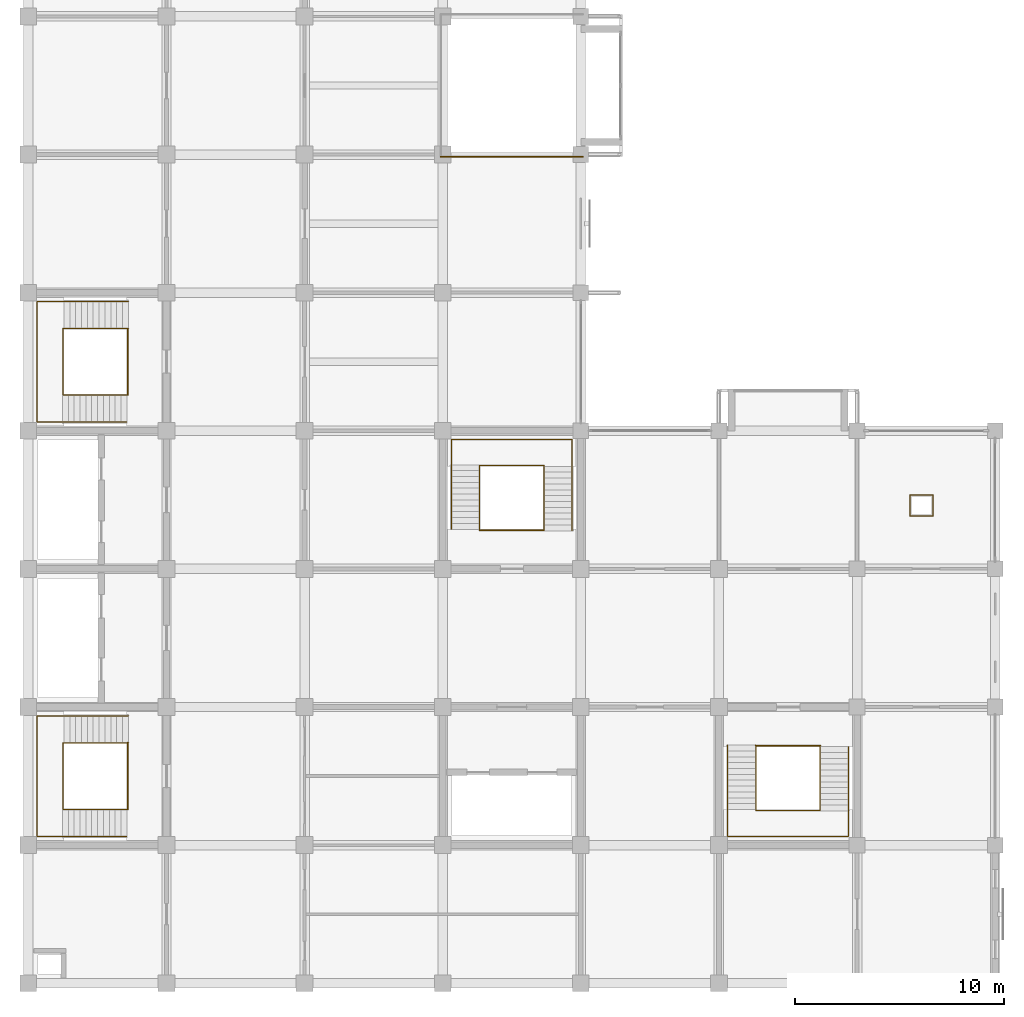
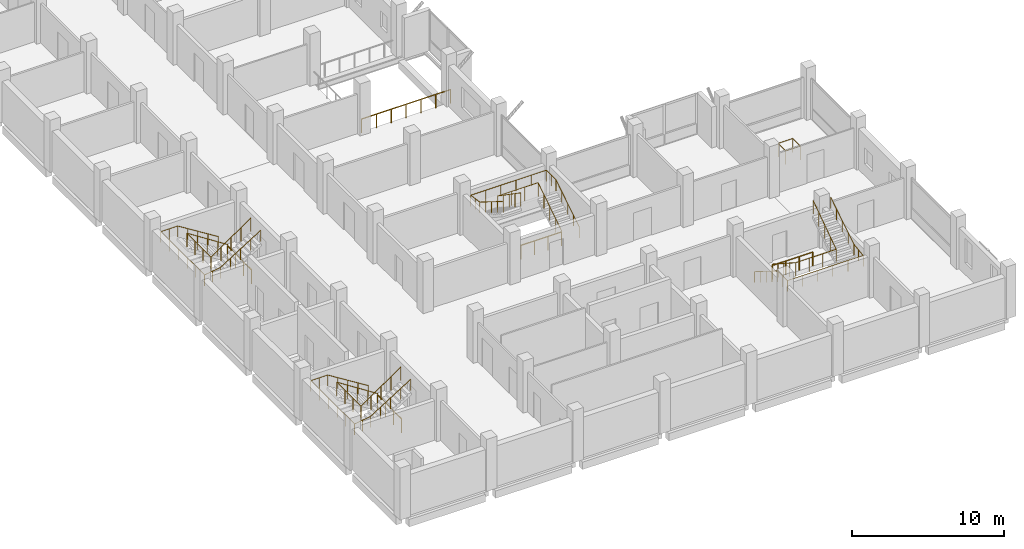
# One storey, part 13 of 14: 14 railings.
"""IFC4 building model written with IfcOpenShell, lengths in metres."""

from ifc_helpers import new_model, si_unit, direction, frame, origin, origin_2d, place, context, subcontext, project, spatial, circle, extrude, material, type_object, element, save


model = new_model("IFC4")

# Units and contexts
model_context = context("Model", 3, precision=1e-05, world=origin(), true_north=direction((0.0, 1.0)))
body_context = subcontext(model_context, "Body", "Model", "MODEL_VIEW")
ifc_project = project(units=[si_unit("LENGTHUNIT", "METRE"), si_unit("AREAUNIT", "SQUARE_METRE"), si_unit("VOLUMEUNIT", "CUBIC_METRE"), si_unit("PLANEANGLEUNIT", "RADIAN"), si_unit("MASSUNIT", "GRAM", prefix="KILO")], contexts=[model_context])

# Site, building, storey
site_placement = place(None, origin())
site = spatial("IfcSite", under=ifc_project, at=site_placement, CompositionType="ELEMENT")
building_placement = place(site_placement, origin())
building = spatial("IfcBuilding", under=site, at=building_placement, Name="Rusizi Kubbe Research Institute", CompositionType="ELEMENT")
storey_placement = place(building_placement, frame((0.0, 0.0, 31.199951171875)))
storey = spatial("IfcBuildingStorey", under=building, at=storey_placement, Name="L07", CompositionType="ELEMENT", Elevation=31.199951171875)

# Railings
ifc_material_1 = material(Name="Painted Steel Stair Guard", Category="steel")
railing_type_1 = type_object("IfcRailingType", Name="GR-STAIR", PredefinedType="GUARDRAIL", material=ifc_material_1)
railing_1_placement = place(storey_placement, frame((4.780029296875, 11.489990234375, 0.087646484375)))
element("IfcRailing", 1, at=railing_1_placement, inside=storey, type_object=railing_type_1, Name="Stair Inner Well Guard ST1 L07", PredefinedType="GUARDRAIL", context=body_context, shape_type="SweptSolid", body=[
    extrude(circle(Radius=0.02392578125, at=origin_2d()), frame((0.0, 0.0, 1.09619140625), z_axis=(-0.840361383606, 0.0, 0.542026516828), x_axis=(0.0, -1.0, 0.0)), (0.0, 0.0, 1.0), 3.712890625),
    extrude(circle(Radius=0.02392578125, at=origin_2d()), frame((-3.1201171875, 0.0, 3.1083984375), z_axis=(0.0, -1.0, 0.0), x_axis=(1.0, 0.0, 0.0)), (0.0, 0.0, 1.0), 3.179931640625),
    extrude(circle(Radius=0.02392578125, at=origin_2d()), frame((-3.1201171875, -3.179931640625, 3.1083984375), z_axis=(0.822798317177, 0.0, 0.568333466595), x_axis=(0.0, 1.0, 0.0)), (0.0, 0.0, 1.0), 3.69482421875),
    extrude(circle(Radius=0.02099609375, at=origin_2d()), origin(), (0.0, 0.0, 1.0), 1.072021484375),
    extrude(circle(Radius=0.02099609375, at=origin_2d()), frame((-0.780029296875, 0.0, 0.503173828125)), (0.0, 0.0, 1.0), 1.072021484375),
    extrude(circle(Radius=0.02099609375, at=origin_2d()), frame((-1.56005859375, 0.0, 1.00634765625)), (0.0, 0.0, 1.0), 1.072021484375),
    extrude(circle(Radius=0.02099609375, at=origin_2d()), frame((-2.340087890625, 0.0, 1.50927734375)), (0.0, 0.0, 1.0), 1.072021484375),
    extrude(circle(Radius=0.02099609375, at=origin_2d()), frame((-3.1201171875, 0.0, 2.012451171875)), (0.0, 0.0, 1.0), 1.072021484375),
    extrude(circle(Radius=0.02099609375, at=origin_2d()), frame((-3.1201171875, -1.06005859375, 2.012451171875)), (0.0, 0.0, 1.0), 1.072021484375),
    extrude(circle(Radius=0.02099609375, at=origin_2d()), frame((-3.1201171875, -2.119873046875, 2.012451171875)), (0.0, 0.0, 1.0), 1.072021484375),
    extrude(circle(Radius=0.02099609375, at=origin_2d()), frame((-3.1201171875, -3.179931640625, 2.012451171875)), (0.0, 0.0, 1.0), 1.072021484375),
    extrude(circle(Radius=0.02099609375, at=origin_2d()), frame((-2.360107421875, -3.179931640625, 2.537353515625)), (0.0, 0.0, 1.0), 1.072021484375),
    extrude(circle(Radius=0.02099609375, at=origin_2d()), frame((-1.60009765625, -3.179931640625, 3.0625)), (0.0, 0.0, 1.0), 1.072021484375),
    extrude(circle(Radius=0.02099609375, at=origin_2d()), frame((-0.840087890625, -3.179931640625, 3.58740234375)), (0.0, 0.0, 1.0), 1.072021484375),
    extrude(circle(Radius=0.02099609375, at=origin_2d()), frame((-0.080078125, -3.179931640625, 4.1123046875)), (0.0, 0.0, 1.0), 1.072021484375),
])
railing_2_placement = place(storey_placement, frame((4.75, 11.489990234375, 0.0)))
element("IfcRailing", 2, at=railing_2_placement, inside=storey, type_object=railing_type_1, Name="Stair Floor Edge Guard ST1 L07", PredefinedType="GUARDRAIL", context=body_context, shape_type="SweptSolid", body=[
    extrude(circle(Radius=0.02392578125, at=origin_2d()), frame((0.0, 0.0, 1.09619140625), z_axis=(0.0, -1.0, 0.0), x_axis=(1.0, 0.0, 0.0)), (0.0, 0.0, 1.0), 3.179931640625),
    extrude(circle(Radius=0.02099609375, at=origin_2d()), origin(), (0.0, 0.0, 1.0), 1.072021484375),
    extrude(circle(Radius=0.02099609375, at=origin_2d()), frame((0.0, -1.06005859375, 0.0)), (0.0, 0.0, 1.0), 1.072021484375),
    extrude(circle(Radius=0.02099609375, at=origin_2d()), frame((0.0, -2.119873046875, 0.0)), (0.0, 0.0, 1.0), 1.072021484375),
    extrude(circle(Radius=0.02099609375, at=origin_2d()), frame((0.0, -3.179931640625, 0.0)), (0.0, 0.0, 1.0), 1.072021484375),
])
railing_3_placement = place(storey_placement, frame((4.780029296875, 31.2900390625, 0.087646484375)))
element("IfcRailing", 3, at=railing_3_placement, inside=storey, type_object=railing_type_1, Name="Stair Inner Well Guard ST2 L07", PredefinedType="GUARDRAIL", context=body_context, shape_type="SweptSolid", body=[
    extrude(circle(Radius=0.02392578125, at=origin_2d()), frame((0.0, 0.0, 1.09619140625), z_axis=(-0.840361383606, 0.0, 0.542026516828), x_axis=(0.0, -1.0, 0.0)), (0.0, 0.0, 1.0), 3.712890625),
    extrude(circle(Radius=0.02392578125, at=origin_2d()), frame((-3.1201171875, 0.0, 3.1083984375), z_axis=(0.0, -1.0, 0.0), x_axis=(1.0, 0.0, 0.0)), (0.0, 0.0, 1.0), 3.179931640625),
    extrude(circle(Radius=0.02392578125, at=origin_2d()), frame((-3.1201171875, -3.179931640625, 3.1083984375), z_axis=(0.822798317177, 0.0, 0.568333466595), x_axis=(0.0, 1.0, 0.0)), (0.0, 0.0, 1.0), 3.69482421875),
    extrude(circle(Radius=0.02099609375, at=origin_2d()), origin(), (0.0, 0.0, 1.0), 1.072021484375),
    extrude(circle(Radius=0.02099609375, at=origin_2d()), frame((-0.780029296875, 0.0, 0.503173828125)), (0.0, 0.0, 1.0), 1.072021484375),
    extrude(circle(Radius=0.02099609375, at=origin_2d()), frame((-1.56005859375, 0.0, 1.00634765625)), (0.0, 0.0, 1.0), 1.072021484375),
    extrude(circle(Radius=0.02099609375, at=origin_2d()), frame((-2.340087890625, 0.0, 1.50927734375)), (0.0, 0.0, 1.0), 1.072021484375),
    extrude(circle(Radius=0.02099609375, at=origin_2d()), frame((-3.1201171875, 0.0, 2.012451171875)), (0.0, 0.0, 1.0), 1.072021484375),
    extrude(circle(Radius=0.02099609375, at=origin_2d()), frame((-3.1201171875, -1.06005859375, 2.012451171875)), (0.0, 0.0, 1.0), 1.072021484375),
    extrude(circle(Radius=0.02099609375, at=origin_2d()), frame((-3.1201171875, -2.119873046875, 2.012451171875)), (0.0, 0.0, 1.0), 1.072021484375),
    extrude(circle(Radius=0.02099609375, at=origin_2d()), frame((-3.1201171875, -3.179931640625, 2.012451171875)), (0.0, 0.0, 1.0), 1.072021484375),
    extrude(circle(Radius=0.02099609375, at=origin_2d()), frame((-2.360107421875, -3.179931640625, 2.537353515625)), (0.0, 0.0, 1.0), 1.072021484375),
    extrude(circle(Radius=0.02099609375, at=origin_2d()), frame((-1.60009765625, -3.179931640625, 3.0625)), (0.0, 0.0, 1.0), 1.072021484375),
    extrude(circle(Radius=0.02099609375, at=origin_2d()), frame((-0.840087890625, -3.179931640625, 3.58740234375)), (0.0, 0.0, 1.0), 1.072021484375),
    extrude(circle(Radius=0.02099609375, at=origin_2d()), frame((-0.080078125, -3.179931640625, 4.1123046875)), (0.0, 0.0, 1.0), 1.072021484375),
])
railing_4_placement = place(storey_placement, frame((4.75, 31.2900390625, 0.0)))
element("IfcRailing", 4, at=railing_4_placement, inside=storey, type_object=railing_type_1, Name="Stair Floor Edge Guard ST2 L07", PredefinedType="GUARDRAIL", context=body_context, shape_type="SweptSolid", body=[
    extrude(circle(Radius=0.02392578125, at=origin_2d()), frame((0.0, 0.0, 1.09619140625), z_axis=(0.0, -1.0, 0.0), x_axis=(1.0, 0.0, 0.0)), (0.0, 0.0, 1.0), 3.179931640625),
    extrude(circle(Radius=0.02099609375, at=origin_2d()), origin(), (0.0, 0.0, 1.0), 1.072021484375),
    extrude(circle(Radius=0.02099609375, at=origin_2d()), frame((0.0, -1.06005859375, 0.0)), (0.0, 0.0, 1.0), 1.072021484375),
    extrude(circle(Radius=0.02099609375, at=origin_2d()), frame((0.0, -2.119873046875, 0.0)), (0.0, 0.0, 1.0), 1.072021484375),
    extrude(circle(Radius=0.02099609375, at=origin_2d()), frame((0.0, -3.179931640625, 0.0)), (0.0, 0.0, 1.0), 1.072021484375),
])
railing_5_placement = place(storey_placement, frame((24.639892578125, 21.6201171875, 0.087646484375)))
element("IfcRailing", 5, at=railing_5_placement, inside=storey, type_object=railing_type_1, Name="Stair Inner Well Guard ST3 L07", PredefinedType="GUARDRAIL", context=body_context, shape_type="SweptSolid", body=[
    extrude(circle(Radius=0.02392578125, at=origin_2d()), frame((0.0, 0.0, 1.09619140625), z_axis=(0.0, 0.840342063375, 0.542056469865), x_axis=(-1.0, 0.0, 0.0)), (0.0, 0.0, 1.0), 3.712646484375),
    extrude(circle(Radius=0.02392578125, at=origin_2d()), frame((0.0, 3.119873046875, 3.1083984375), z_axis=(-1.0, 0.0, 0.0), x_axis=(0.0, -1.0, 0.0)), (0.0, 0.0, 1.0), 3.079833984375),
    extrude(circle(Radius=0.02392578125, at=origin_2d()), frame((-3.079833984375, 3.119873046875, 3.1083984375), z_axis=(0.0, -0.822798317177, 0.568333466595), x_axis=(1.0, 0.0, 0.0)), (0.0, 0.0, 1.0), 3.69482421875),
    extrude(circle(Radius=0.02099609375, at=origin_2d()), origin(), (0.0, 0.0, 1.0), 1.072021484375),
    extrude(circle(Radius=0.02099609375, at=origin_2d()), frame((0.0, 0.780029296875, 0.503173828125)), (0.0, 0.0, 1.0), 1.072021484375),
    extrude(circle(Radius=0.02099609375, at=origin_2d()), frame((0.0, 1.56005859375, 1.00634765625)), (0.0, 0.0, 1.0), 1.072021484375),
    extrude(circle(Radius=0.02099609375, at=origin_2d()), frame((0.0, 2.33984375, 1.50927734375)), (0.0, 0.0, 1.0), 1.072021484375),
    extrude(circle(Radius=0.02099609375, at=origin_2d()), frame((0.0, 3.119873046875, 2.012451171875)), (0.0, 0.0, 1.0), 1.072021484375),
    extrude(circle(Radius=0.02099609375, at=origin_2d()), frame((-1.026611328125, 3.119873046875, 2.012451171875)), (0.0, 0.0, 1.0), 1.072021484375),
    extrude(circle(Radius=0.02099609375, at=origin_2d()), frame((-2.05322265625, 3.119873046875, 2.012451171875)), (0.0, 0.0, 1.0), 1.072021484375),
    extrude(circle(Radius=0.02099609375, at=origin_2d()), frame((-3.079833984375, 3.119873046875, 2.012451171875)), (0.0, 0.0, 1.0), 1.072021484375),
    extrude(circle(Radius=0.02099609375, at=origin_2d()), frame((-3.079833984375, 2.35986328125, 2.537353515625)), (0.0, 0.0, 1.0), 1.072021484375),
    extrude(circle(Radius=0.02099609375, at=origin_2d()), frame((-3.079833984375, 1.599853515625, 3.0625)), (0.0, 0.0, 1.0), 1.072021484375),
    extrude(circle(Radius=0.02099609375, at=origin_2d()), frame((-3.079833984375, 0.83984375, 3.58740234375)), (0.0, 0.0, 1.0), 1.072021484375),
    extrude(circle(Radius=0.02099609375, at=origin_2d()), frame((-3.079833984375, 0.079833984375, 4.1123046875)), (0.0, 0.0, 1.0), 1.072021484375),
])
railing_6_placement = place(storey_placement, frame((24.639892578125, 21.64990234375, 0.0)))
element("IfcRailing", 6, at=railing_6_placement, inside=storey, type_object=railing_type_1, Name="Stair Floor Edge Guard ST3 L07", PredefinedType="GUARDRAIL", context=body_context, shape_type="SweptSolid", body=[
    extrude(circle(Radius=0.02392578125, at=origin_2d()), frame((0.0, 0.0, 1.09619140625), z_axis=(-1.0, 0.0, 0.0), x_axis=(0.0, -1.0, 0.0)), (0.0, 0.0, 1.0), 3.079833984375),
    extrude(circle(Radius=0.02099609375, at=origin_2d()), origin(), (0.0, 0.0, 1.0), 1.072021484375),
    extrude(circle(Radius=0.02099609375, at=origin_2d()), frame((-1.026611328125, 0.0, 0.0)), (0.0, 0.0, 1.0), 1.072021484375),
    extrude(circle(Radius=0.02099609375, at=origin_2d()), frame((-2.05322265625, 0.0, 0.0)), (0.0, 0.0, 1.0), 1.072021484375),
    extrude(circle(Radius=0.02099609375, at=origin_2d()), frame((-3.079833984375, 0.0, 0.0)), (0.0, 0.0, 1.0), 1.072021484375),
])
railing_7_placement = place(storey_placement, frame((34.760009765625, 11.3798828125, 0.087646484375)))
element("IfcRailing", 7, at=railing_7_placement, inside=storey, type_object=railing_type_1, Name="Stair Inner Well Guard ST4 L07", PredefinedType="GUARDRAIL", context=body_context, shape_type="SweptSolid", body=[
    extrude(circle(Radius=0.02392578125, at=origin_2d()), frame((0.0, 0.0, 1.09619140625), z_axis=(0.0, -0.840342063375, 0.542056469865), x_axis=(1.0, 0.0, 0.0)), (0.0, 0.0, 1.0), 3.712646484375),
    extrude(circle(Radius=0.02392578125, at=origin_2d()), frame((0.0, -3.119873046875, 3.1083984375), z_axis=(1.0, 0.0, 0.0), x_axis=(0.0, 1.0, 0.0)), (0.0, 0.0, 1.0), 3.080078125),
    extrude(circle(Radius=0.02392578125, at=origin_2d()), frame((3.080078125, -3.119873046875, 3.1083984375), z_axis=(0.0, 0.822798317177, 0.568333466595), x_axis=(-1.0, 0.0, 0.0)), (0.0, 0.0, 1.0), 3.69482421875),
    extrude(circle(Radius=0.02099609375, at=origin_2d()), origin(), (0.0, 0.0, 1.0), 1.072021484375),
    extrude(circle(Radius=0.02099609375, at=origin_2d()), frame((0.0, -0.780029296875, 0.503173828125)), (0.0, 0.0, 1.0), 1.072021484375),
    extrude(circle(Radius=0.02099609375, at=origin_2d()), frame((0.0, -1.56005859375, 1.00634765625)), (0.0, 0.0, 1.0), 1.072021484375),
    extrude(circle(Radius=0.02099609375, at=origin_2d()), frame((0.0, -2.33984375, 1.50927734375)), (0.0, 0.0, 1.0), 1.072021484375),
    extrude(circle(Radius=0.02099609375, at=origin_2d()), frame((0.0, -3.119873046875, 2.012451171875)), (0.0, 0.0, 1.0), 1.072021484375),
    extrude(circle(Radius=0.02099609375, at=origin_2d()), frame((1.026611328125, -3.119873046875, 2.012451171875)), (0.0, 0.0, 1.0), 1.072021484375),
    extrude(circle(Radius=0.02099609375, at=origin_2d()), frame((2.053466796875, -3.119873046875, 2.012451171875)), (0.0, 0.0, 1.0), 1.072021484375),
    extrude(circle(Radius=0.02099609375, at=origin_2d()), frame((3.080078125, -3.119873046875, 2.012451171875)), (0.0, 0.0, 1.0), 1.072021484375),
    extrude(circle(Radius=0.02099609375, at=origin_2d()), frame((3.080078125, -2.35986328125, 2.537353515625)), (0.0, 0.0, 1.0), 1.072021484375),
    extrude(circle(Radius=0.02099609375, at=origin_2d()), frame((3.080078125, -1.599853515625, 3.0625)), (0.0, 0.0, 1.0), 1.072021484375),
    extrude(circle(Radius=0.02099609375, at=origin_2d()), frame((3.080078125, -0.83984375, 3.58740234375)), (0.0, 0.0, 1.0), 1.072021484375),
    extrude(circle(Radius=0.02099609375, at=origin_2d()), frame((3.080078125, -0.079833984375, 4.1123046875)), (0.0, 0.0, 1.0), 1.072021484375),
])
railing_8_placement = place(storey_placement, frame((34.760009765625, 11.35009765625, 0.0)))
element("IfcRailing", 8, at=railing_8_placement, inside=storey, type_object=railing_type_1, Name="Stair Floor Edge Guard ST4 L07", PredefinedType="GUARDRAIL", context=body_context, shape_type="SweptSolid", body=[
    extrude(circle(Radius=0.02392578125, at=origin_2d()), frame((0.0, 0.0, 1.09619140625), z_axis=(1.0, 0.0, 0.0), x_axis=(0.0, 1.0, 0.0)), (0.0, 0.0, 1.0), 3.080078125),
    extrude(circle(Radius=0.02099609375, at=origin_2d()), origin(), (0.0, 0.0, 1.0), 1.072021484375),
    extrude(circle(Radius=0.02099609375, at=origin_2d()), frame((1.026611328125, 0.0, 0.0)), (0.0, 0.0, 1.0), 1.072021484375),
    extrude(circle(Radius=0.02099609375, at=origin_2d()), frame((2.053466796875, 0.0, 0.0)), (0.0, 0.0, 1.0), 1.072021484375),
    extrude(circle(Radius=0.02099609375, at=origin_2d()), frame((3.080078125, 0.0, 0.0)), (0.0, 0.0, 1.0), 1.072021484375),
])
railing_9_placement = place(storey_placement, frame((42.1201171875, 22.320068359375, 0.0)))
element("IfcRailing", 9, at=railing_9_placement, inside=storey, type_object=railing_type_1, Name="Service Riser Guard L07 EAST", PredefinedType="GUARDRAIL", context=body_context, shape_type="SweptSolid", body=[
    extrude(circle(Radius=0.02392578125, at=origin_2d()), frame((0.0, 0.0, 1.09619140625), z_axis=(1.0, 0.0, 0.0), x_axis=(0.0, 1.0, 0.0)), (0.0, 0.0, 1.0), 1.10986328125),
    extrude(circle(Radius=0.02392578125, at=origin_2d()), frame((1.10986328125, 0.0, 1.09619140625), z_axis=(0.0, 1.0, 0.0), x_axis=(-1.0, 0.0, 0.0)), (0.0, 0.0, 1.0), 1.010009765625),
    extrude(circle(Radius=0.02392578125, at=origin_2d()), frame((1.10986328125, 1.010009765625, 1.09619140625), z_axis=(-1.0, 0.0, 0.0), x_axis=(0.0, -1.0, 0.0)), (0.0, 0.0, 1.0), 1.10986328125),
    extrude(circle(Radius=0.02392578125, at=origin_2d()), frame((0.0, 1.010009765625, 1.09619140625), z_axis=(0.0, -1.0, 0.0), x_axis=(1.0, 0.0, 0.0)), (0.0, 0.0, 1.0), 1.010009765625),
    extrude(circle(Radius=0.02099609375, at=origin_2d()), origin(), (0.0, 0.0, 1.0), 1.072021484375),
    extrude(circle(Radius=0.02099609375, at=origin_2d()), frame((1.10986328125, 0.0, 0.0)), (0.0, 0.0, 1.0), 1.072021484375),
    extrude(circle(Radius=0.02099609375, at=origin_2d()), frame((1.10986328125, 1.010009765625, 0.0)), (0.0, 0.0, 1.0), 1.072021484375),
    extrude(circle(Radius=0.02099609375, at=origin_2d()), frame((0.0, 1.010009765625, 0.0)), (0.0, 0.0, 1.0), 1.072021484375),
])
ifc_material_2 = material(Name="Tempered Glass and Bronze Atrium Balustrade", Category="steel")
railing_type_2 = type_object("IfcRailingType", Name="GR-VOID", PredefinedType="BALUSTRADE", material=ifc_material_2)
railing_10_placement = place(storey_placement, frame((19.699951171875, 39.5, 0.0)))
element("IfcRailing", 10, at=railing_10_placement, inside=storey, type_object=railing_type_2, Name="Atrium Void Balustrade L07-01", PredefinedType="BALUSTRADE", context=body_context, shape_type="SweptSolid", body=[
    extrude(circle(Radius=0.02392578125, at=origin_2d()), frame((0.0, 0.0, 1.09619140625), z_axis=(1.0, 0.0, 0.0), x_axis=(0.0, 1.0, 0.0)), (0.0, 0.0, 1.0), 6.800048828125),
    extrude(circle(Radius=0.02099609375, at=origin_2d()), origin(), (0.0, 0.0, 1.0), 1.072021484375),
    extrude(circle(Radius=0.02099609375, at=origin_2d()), frame((1.13330078125, 0.0, 0.0)), (0.0, 0.0, 1.0), 1.072021484375),
    extrude(circle(Radius=0.02099609375, at=origin_2d()), frame((2.2666015625, 0.0, 0.0)), (0.0, 0.0, 1.0), 1.072021484375),
    extrude(circle(Radius=0.02099609375, at=origin_2d()), frame((3.39990234375, 0.0, 0.0)), (0.0, 0.0, 1.0), 1.072021484375),
    extrude(circle(Radius=0.02099609375, at=origin_2d()), frame((4.533447265625, 0.0, 0.0)), (0.0, 0.0, 1.0), 1.072021484375),
    extrude(circle(Radius=0.02099609375, at=origin_2d()), frame((5.666748046875, 0.0, 0.0)), (0.0, 0.0, 1.0), 1.072021484375),
    extrude(circle(Radius=0.02099609375, at=origin_2d()), frame((6.800048828125, 0.0, 0.0)), (0.0, 0.0, 1.0), 1.072021484375),
])
ifc_material_3 = material(Name="Brushed Stainless Steel Handrail", Category="steel")
railing_type_3 = type_object("IfcRailingType", Name="HR-STAIR", PredefinedType="HANDRAIL", material=ifc_material_3)
railing_11_placement = place(storey_placement, frame((4.780029296875, 12.780029296875, 0.175048828125)))
element("IfcRailing", 11, at=railing_11_placement, inside=storey, type_object=railing_type_3, Name="Stair Wall Handrail ST1 L07", PredefinedType="HANDRAIL", context=body_context, shape_type="SweptSolid", body=[
    extrude(circle(Radius=0.02392578125, at=origin_2d()), frame((0.0, 0.0, 0.8759765625), z_axis=(-0.847998304005, 0.0, 0.529998940003), x_axis=(0.0, -1.0, 0.0)), (0.0, 0.0, 1.0), 3.632080078125),
    extrude(circle(Radius=0.02392578125, at=origin_2d()), frame((-3.080078125, 0.0, 2.80078125), z_axis=(-1.0, 0.0, 0.0), x_axis=(0.0, -1.0, 0.0)), (0.0, 0.0, 1.0), 1.280029296875),
    extrude(circle(Radius=0.02392578125, at=origin_2d()), frame((-4.360107421875, 0.0, 2.80078125), z_axis=(0.0, -1.0, 0.0), x_axis=(1.0, 0.0, 0.0)), (0.0, 0.0, 1.0), 5.760009765625),
    extrude(circle(Radius=0.02392578125, at=origin_2d()), frame((-4.360107421875, -5.760009765625, 2.80078125), z_axis=(0.989630492691, 0.0, 0.143636652482), x_axis=(0.0, 1.0, 0.0)), (0.0, 0.0, 1.0), 1.21875),
    extrude(circle(Radius=0.02392578125, at=origin_2d()), frame((-3.154052734375, -5.760009765625, 2.97607421875), z_axis=(0.847555548714, 0.0, 0.530706690974), x_axis=(0.0, 1.0, 0.0)), (0.0, 0.0, 1.0), 3.626953125),
    extrude(circle(Radius=0.02099609375, at=origin_2d()), origin(), (0.0, 0.0, 1.0), 0.851806640625),
    extrude(circle(Radius=0.02099609375, at=origin_2d()), frame((-0.77001953125, 0.0, 0.481201171875)), (0.0, 0.0, 1.0), 0.851806640625),
    extrude(circle(Radius=0.02099609375, at=origin_2d()), frame((-1.5400390625, 0.0, 0.96240234375)), (0.0, 0.0, 1.0), 0.851806640625),
    extrude(circle(Radius=0.02099609375, at=origin_2d()), frame((-2.31005859375, 0.0, 1.44384765625)), (0.0, 0.0, 1.0), 0.851806640625),
    extrude(circle(Radius=0.02099609375, at=origin_2d()), frame((-3.080078125, 0.0, 1.925048828125)), (0.0, 0.0, 1.0), 0.851806640625),
    extrude(circle(Radius=0.02099609375, at=origin_2d()), frame((-3.72021484375, 0.0, 1.925048828125)), (0.0, 0.0, 1.0), 0.851806640625),
    extrude(circle(Radius=0.02099609375, at=origin_2d()), frame((-4.360107421875, 0.0, 1.925048828125)), (0.0, 0.0, 1.0), 0.851806640625),
    extrude(circle(Radius=0.02099609375, at=origin_2d()), frame((-4.360107421875, -1.152099609375, 1.925048828125)), (0.0, 0.0, 1.0), 0.851806640625),
    extrude(circle(Radius=0.02099609375, at=origin_2d()), frame((-4.360107421875, -2.303955078125, 1.925048828125)), (0.0, 0.0, 1.0), 0.851806640625),
    extrude(circle(Radius=0.02099609375, at=origin_2d()), frame((-4.360107421875, -3.4560546875, 1.925048828125)), (0.0, 0.0, 1.0), 0.851806640625),
    extrude(circle(Radius=0.02099609375, at=origin_2d()), frame((-4.360107421875, -4.60791015625, 1.925048828125)), (0.0, 0.0, 1.0), 0.851806640625),
    extrude(circle(Radius=0.02099609375, at=origin_2d()), frame((-4.360107421875, -5.760009765625, 1.925048828125)), (0.0, 0.0, 1.0), 0.851806640625),
    extrude(circle(Radius=0.02099609375, at=origin_2d()), frame((-3.757080078125, -5.760009765625, 2.0126953125)), (0.0, 0.0, 1.0), 0.851806640625),
    extrude(circle(Radius=0.02099609375, at=origin_2d()), frame((-3.154052734375, -5.760009765625, 2.10009765625)), (0.0, 0.0, 1.0), 0.851806640625),
    extrude(circle(Radius=0.02099609375, at=origin_2d()), frame((-2.385498046875, -5.760009765625, 2.581298828125)), (0.0, 0.0, 1.0), 0.851806640625),
    extrude(circle(Radius=0.02099609375, at=origin_2d()), frame((-1.6171875, -5.760009765625, 3.0625)), (0.0, 0.0, 1.0), 0.851806640625),
    extrude(circle(Radius=0.02099609375, at=origin_2d()), frame((-0.8486328125, -5.760009765625, 3.543701171875)), (0.0, 0.0, 1.0), 0.851806640625),
    extrude(circle(Radius=0.02099609375, at=origin_2d()), frame((-0.080078125, -5.760009765625, 4.02490234375)), (0.0, 0.0, 1.0), 0.851806640625),
])
railing_12_placement = place(storey_placement, frame((4.780029296875, 32.580078125, 0.175048828125)))
element("IfcRailing", 12, at=railing_12_placement, inside=storey, type_object=railing_type_3, Name="Stair Wall Handrail ST2 L07", PredefinedType="HANDRAIL", context=body_context, shape_type="SweptSolid", body=[
    extrude(circle(Radius=0.02392578125, at=origin_2d()), frame((0.0, 0.0, 0.8759765625), z_axis=(-0.847998304005, 0.0, 0.529998940003), x_axis=(0.0, -1.0, 0.0)), (0.0, 0.0, 1.0), 3.632080078125),
    extrude(circle(Radius=0.02392578125, at=origin_2d()), frame((-3.080078125, 0.0, 2.80078125), z_axis=(-1.0, 0.0, 0.0), x_axis=(0.0, -1.0, 0.0)), (0.0, 0.0, 1.0), 1.280029296875),
    extrude(circle(Radius=0.02392578125, at=origin_2d()), frame((-4.360107421875, 0.0, 2.80078125), z_axis=(0.0, -1.0, 0.0), x_axis=(1.0, 0.0, 0.0)), (0.0, 0.0, 1.0), 5.760009765625),
    extrude(circle(Radius=0.02392578125, at=origin_2d()), frame((-4.360107421875, -5.760009765625, 2.80078125), z_axis=(0.989630492691, 0.0, 0.143636652482), x_axis=(0.0, 1.0, 0.0)), (0.0, 0.0, 1.0), 1.21875),
    extrude(circle(Radius=0.02392578125, at=origin_2d()), frame((-3.154052734375, -5.760009765625, 2.97607421875), z_axis=(0.847555548714, 0.0, 0.530706690974), x_axis=(0.0, 1.0, 0.0)), (0.0, 0.0, 1.0), 3.626953125),
    extrude(circle(Radius=0.02099609375, at=origin_2d()), origin(), (0.0, 0.0, 1.0), 0.851806640625),
    extrude(circle(Radius=0.02099609375, at=origin_2d()), frame((-0.77001953125, 0.0, 0.481201171875)), (0.0, 0.0, 1.0), 0.851806640625),
    extrude(circle(Radius=0.02099609375, at=origin_2d()), frame((-1.5400390625, 0.0, 0.96240234375)), (0.0, 0.0, 1.0), 0.851806640625),
    extrude(circle(Radius=0.02099609375, at=origin_2d()), frame((-2.31005859375, 0.0, 1.44384765625)), (0.0, 0.0, 1.0), 0.851806640625),
    extrude(circle(Radius=0.02099609375, at=origin_2d()), frame((-3.080078125, 0.0, 1.925048828125)), (0.0, 0.0, 1.0), 0.851806640625),
    extrude(circle(Radius=0.02099609375, at=origin_2d()), frame((-3.72021484375, 0.0, 1.925048828125)), (0.0, 0.0, 1.0), 0.851806640625),
    extrude(circle(Radius=0.02099609375, at=origin_2d()), frame((-4.360107421875, 0.0, 1.925048828125)), (0.0, 0.0, 1.0), 0.851806640625),
    extrude(circle(Radius=0.02099609375, at=origin_2d()), frame((-4.360107421875, -1.152099609375, 1.925048828125)), (0.0, 0.0, 1.0), 0.851806640625),
    extrude(circle(Radius=0.02099609375, at=origin_2d()), frame((-4.360107421875, -2.303955078125, 1.925048828125)), (0.0, 0.0, 1.0), 0.851806640625),
    extrude(circle(Radius=0.02099609375, at=origin_2d()), frame((-4.360107421875, -3.4560546875, 1.925048828125)), (0.0, 0.0, 1.0), 0.851806640625),
    extrude(circle(Radius=0.02099609375, at=origin_2d()), frame((-4.360107421875, -4.60791015625, 1.925048828125)), (0.0, 0.0, 1.0), 0.851806640625),
    extrude(circle(Radius=0.02099609375, at=origin_2d()), frame((-4.360107421875, -5.760009765625, 1.925048828125)), (0.0, 0.0, 1.0), 0.851806640625),
    extrude(circle(Radius=0.02099609375, at=origin_2d()), frame((-3.757080078125, -5.760009765625, 2.0126953125)), (0.0, 0.0, 1.0), 0.851806640625),
    extrude(circle(Radius=0.02099609375, at=origin_2d()), frame((-3.154052734375, -5.760009765625, 2.10009765625)), (0.0, 0.0, 1.0), 0.851806640625),
    extrude(circle(Radius=0.02099609375, at=origin_2d()), frame((-2.385498046875, -5.760009765625, 2.581298828125)), (0.0, 0.0, 1.0), 0.851806640625),
    extrude(circle(Radius=0.02099609375, at=origin_2d()), frame((-1.6171875, -5.760009765625, 3.0625)), (0.0, 0.0, 1.0), 0.851806640625),
    extrude(circle(Radius=0.02099609375, at=origin_2d()), frame((-0.8486328125, -5.760009765625, 3.543701171875)), (0.0, 0.0, 1.0), 0.851806640625),
    extrude(circle(Radius=0.02099609375, at=origin_2d()), frame((-0.080078125, -5.760009765625, 4.02490234375)), (0.0, 0.0, 1.0), 0.851806640625),
])
railing_13_placement = place(storey_placement, frame((25.97998046875, 21.6201171875, 0.175048828125)))
element("IfcRailing", 13, at=railing_13_placement, inside=storey, type_object=railing_type_3, Name="Stair Wall Handrail ST3 L07", PredefinedType="HANDRAIL", context=body_context, shape_type="SweptSolid", body=[
    extrude(circle(Radius=0.02392578125, at=origin_2d()), frame((0.0, 0.0, 0.8759765625), z_axis=(0.0, 0.847979421464, 0.530029150871), x_axis=(-1.0, 0.0, 0.0)), (0.0, 0.0, 1.0), 3.632080078125),
    extrude(circle(Radius=0.02392578125, at=origin_2d()), frame((0.0, 3.079833984375, 2.80078125), z_axis=(0.0, 1.0, 0.0), x_axis=(-1.0, 0.0, 0.0)), (0.0, 0.0, 1.0), 1.280029296875),
    extrude(circle(Radius=0.02392578125, at=origin_2d()), frame((0.0, 4.35986328125, 2.80078125), z_axis=(-1.0, 0.0, 0.0), x_axis=(0.0, -1.0, 0.0)), (0.0, 0.0, 1.0), 5.760009765625),
    extrude(circle(Radius=0.02392578125, at=origin_2d()), frame((-5.760009765625, 4.35986328125, 2.80078125), z_axis=(0.0, -0.989630492691, 0.143636652482), x_axis=(1.0, 0.0, 0.0)), (0.0, 0.0, 1.0), 1.21875),
    extrude(circle(Radius=0.02392578125, at=origin_2d()), frame((-5.760009765625, 3.15380859375, 2.97607421875), z_axis=(0.0, -0.847555548714, 0.530706690974), x_axis=(1.0, 0.0, 0.0)), (0.0, 0.0, 1.0), 3.626953125),
    extrude(circle(Radius=0.02099609375, at=origin_2d()), origin(), (0.0, 0.0, 1.0), 0.851806640625),
    extrude(circle(Radius=0.02099609375, at=origin_2d()), frame((0.0, 0.77001953125, 0.481201171875)), (0.0, 0.0, 1.0), 0.851806640625),
    extrude(circle(Radius=0.02099609375, at=origin_2d()), frame((0.0, 1.5400390625, 0.96240234375)), (0.0, 0.0, 1.0), 0.851806640625),
    extrude(circle(Radius=0.02099609375, at=origin_2d()), frame((0.0, 2.309814453125, 1.44384765625)), (0.0, 0.0, 1.0), 0.851806640625),
    extrude(circle(Radius=0.02099609375, at=origin_2d()), frame((0.0, 3.079833984375, 1.925048828125)), (0.0, 0.0, 1.0), 0.851806640625),
    extrude(circle(Radius=0.02099609375, at=origin_2d()), frame((0.0, 3.7197265625, 1.925048828125)), (0.0, 0.0, 1.0), 0.851806640625),
    extrude(circle(Radius=0.02099609375, at=origin_2d()), frame((0.0, 4.35986328125, 1.925048828125)), (0.0, 0.0, 1.0), 0.851806640625),
    extrude(circle(Radius=0.02099609375, at=origin_2d()), frame((-1.152099609375, 4.35986328125, 1.925048828125)), (0.0, 0.0, 1.0), 0.851806640625),
    extrude(circle(Radius=0.02099609375, at=origin_2d()), frame((-2.303955078125, 4.35986328125, 1.925048828125)), (0.0, 0.0, 1.0), 0.851806640625),
    extrude(circle(Radius=0.02099609375, at=origin_2d()), frame((-3.4560546875, 4.35986328125, 1.925048828125)), (0.0, 0.0, 1.0), 0.851806640625),
    extrude(circle(Radius=0.02099609375, at=origin_2d()), frame((-4.60791015625, 4.35986328125, 1.925048828125)), (0.0, 0.0, 1.0), 0.851806640625),
    extrude(circle(Radius=0.02099609375, at=origin_2d()), frame((-5.760009765625, 4.35986328125, 1.925048828125)), (0.0, 0.0, 1.0), 0.851806640625),
    extrude(circle(Radius=0.02099609375, at=origin_2d()), frame((-5.760009765625, 3.7568359375, 2.0126953125)), (0.0, 0.0, 1.0), 0.851806640625),
    extrude(circle(Radius=0.02099609375, at=origin_2d()), frame((-5.760009765625, 3.15380859375, 2.10009765625)), (0.0, 0.0, 1.0), 0.851806640625),
    extrude(circle(Radius=0.02099609375, at=origin_2d()), frame((-5.760009765625, 2.38525390625, 2.581298828125)), (0.0, 0.0, 1.0), 0.851806640625),
    extrude(circle(Radius=0.02099609375, at=origin_2d()), frame((-5.760009765625, 1.61669921875, 3.0625)), (0.0, 0.0, 1.0), 0.851806640625),
    extrude(circle(Radius=0.02099609375, at=origin_2d()), frame((-5.760009765625, 0.848388671875, 3.543701171875)), (0.0, 0.0, 1.0), 0.851806640625),
    extrude(circle(Radius=0.02099609375, at=origin_2d()), frame((-5.760009765625, 0.079833984375, 4.02490234375)), (0.0, 0.0, 1.0), 0.851806640625),
])
railing_14_placement = place(storey_placement, frame((33.419921875, 11.3798828125, 0.175048828125)))
element("IfcRailing", 14, at=railing_14_placement, inside=storey, type_object=railing_type_3, Name="Stair Wall Handrail ST4 L07", PredefinedType="HANDRAIL", context=body_context, shape_type="SweptSolid", body=[
    extrude(circle(Radius=0.02392578125, at=origin_2d()), frame((0.0, 0.0, 0.8759765625), z_axis=(0.0, -0.847979421464, 0.530029150871), x_axis=(1.0, 0.0, 0.0)), (0.0, 0.0, 1.0), 3.632080078125),
    extrude(circle(Radius=0.02392578125, at=origin_2d()), frame((0.0, -3.079833984375, 2.80078125), z_axis=(0.0, -1.0, 0.0), x_axis=(1.0, 0.0, 0.0)), (0.0, 0.0, 1.0), 1.280029296875),
    extrude(circle(Radius=0.02392578125, at=origin_2d()), frame((0.0, -4.35986328125, 2.80078125), z_axis=(1.0, 0.0, 0.0), x_axis=(0.0, 1.0, 0.0)), (0.0, 0.0, 1.0), 5.760009765625),
    extrude(circle(Radius=0.02392578125, at=origin_2d()), frame((5.760009765625, -4.35986328125, 2.80078125), z_axis=(0.0, 0.989630492691, 0.143636652482), x_axis=(-1.0, 0.0, 0.0)), (0.0, 0.0, 1.0), 1.21875),
    extrude(circle(Radius=0.02392578125, at=origin_2d()), frame((5.760009765625, -3.15380859375, 2.97607421875), z_axis=(0.0, 0.847555548714, 0.530706690974), x_axis=(-1.0, 0.0, 0.0)), (0.0, 0.0, 1.0), 3.626953125),
    extrude(circle(Radius=0.02099609375, at=origin_2d()), origin(), (0.0, 0.0, 1.0), 0.851806640625),
    extrude(circle(Radius=0.02099609375, at=origin_2d()), frame((0.0, -0.77001953125, 0.481201171875)), (0.0, 0.0, 1.0), 0.851806640625),
    extrude(circle(Radius=0.02099609375, at=origin_2d()), frame((0.0, -1.5400390625, 0.96240234375)), (0.0, 0.0, 1.0), 0.851806640625),
    extrude(circle(Radius=0.02099609375, at=origin_2d()), frame((0.0, -2.309814453125, 1.44384765625)), (0.0, 0.0, 1.0), 0.851806640625),
    extrude(circle(Radius=0.02099609375, at=origin_2d()), frame((0.0, -3.079833984375, 1.925048828125)), (0.0, 0.0, 1.0), 0.851806640625),
    extrude(circle(Radius=0.02099609375, at=origin_2d()), frame((0.0, -3.7197265625, 1.925048828125)), (0.0, 0.0, 1.0), 0.851806640625),
    extrude(circle(Radius=0.02099609375, at=origin_2d()), frame((0.0, -4.35986328125, 1.925048828125)), (0.0, 0.0, 1.0), 0.851806640625),
    extrude(circle(Radius=0.02099609375, at=origin_2d()), frame((1.152099609375, -4.35986328125, 1.925048828125)), (0.0, 0.0, 1.0), 0.851806640625),
    extrude(circle(Radius=0.02099609375, at=origin_2d()), frame((2.303955078125, -4.35986328125, 1.925048828125)), (0.0, 0.0, 1.0), 0.851806640625),
    extrude(circle(Radius=0.02099609375, at=origin_2d()), frame((3.4560546875, -4.35986328125, 1.925048828125)), (0.0, 0.0, 1.0), 0.851806640625),
    extrude(circle(Radius=0.02099609375, at=origin_2d()), frame((4.60791015625, -4.35986328125, 1.925048828125)), (0.0, 0.0, 1.0), 0.851806640625),
    extrude(circle(Radius=0.02099609375, at=origin_2d()), frame((5.760009765625, -4.35986328125, 1.925048828125)), (0.0, 0.0, 1.0), 0.851806640625),
    extrude(circle(Radius=0.02099609375, at=origin_2d()), frame((5.760009765625, -3.7568359375, 2.0126953125)), (0.0, 0.0, 1.0), 0.851806640625),
    extrude(circle(Radius=0.02099609375, at=origin_2d()), frame((5.760009765625, -3.15380859375, 2.10009765625)), (0.0, 0.0, 1.0), 0.851806640625),
    extrude(circle(Radius=0.02099609375, at=origin_2d()), frame((5.760009765625, -2.38525390625, 2.581298828125)), (0.0, 0.0, 1.0), 0.851806640625),
    extrude(circle(Radius=0.02099609375, at=origin_2d()), frame((5.760009765625, -1.61669921875, 3.0625)), (0.0, 0.0, 1.0), 0.851806640625),
    extrude(circle(Radius=0.02099609375, at=origin_2d()), frame((5.760009765625, -0.848388671875, 3.543701171875)), (0.0, 0.0, 1.0), 0.851806640625),
    extrude(circle(Radius=0.02099609375, at=origin_2d()), frame((5.760009765625, -0.079833984375, 4.02490234375)), (0.0, 0.0, 1.0), 0.851806640625),
])

save(model, "model.ifc")
